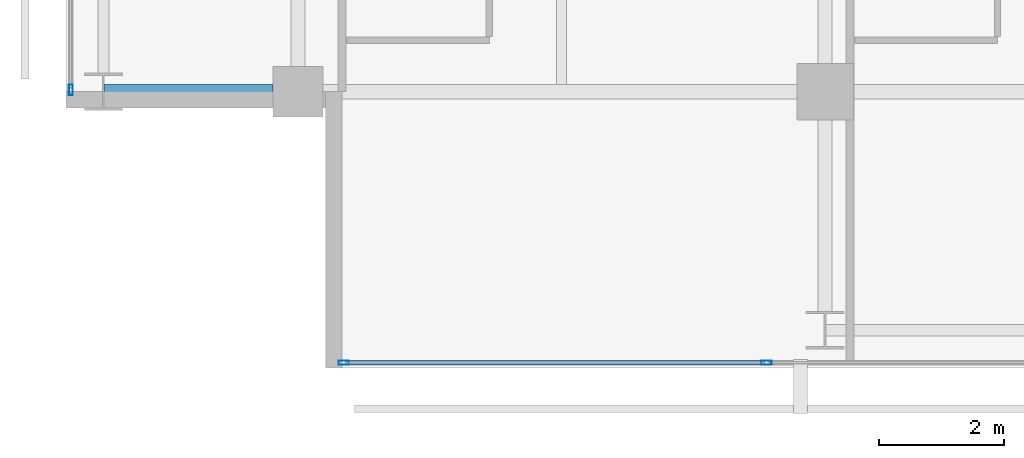
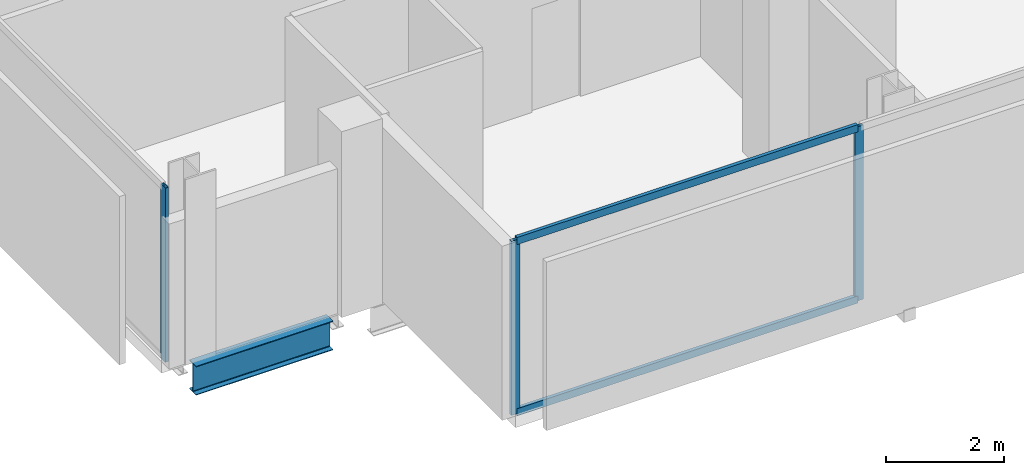
# One storey, part 2 of 34: 5 members, 1 beam, 2 elements without a shape of their own.
"""IFC4 building model written with IfcOpenShell, lengths in metres."""

from ifc_helpers import new_model, si_unit, direction, frame, origin, origin_2d, place, context, subcontext, project, spatial, hollow_rectangle, i_section, extrude, material, layer, layer_set, material_profile, profile_set, type_object, element, aggregate, save


model = new_model("IFC4")

# Units and contexts
model_context = context("Model", 3, precision=1e-05, world=origin(), true_north=direction((0.0, 1.0)))
body_context = subcontext(model_context, "Body", "Model", "MODEL_VIEW")
ifc_project = project(units=[si_unit("LENGTHUNIT", "METRE"), si_unit("AREAUNIT", "SQUARE_METRE"), si_unit("VOLUMEUNIT", "CUBIC_METRE"), si_unit("PLANEANGLEUNIT", "RADIAN"), si_unit("MASSUNIT", "GRAM", prefix="KILO")], contexts=[model_context])

# Site, building, storey
site_placement = place(None, origin())
site = spatial("IfcSite", under=ifc_project, at=site_placement, CompositionType="ELEMENT")
building_placement = place(site_placement, origin())
building = spatial("IfcBuilding", under=site, at=building_placement, Name="Maruvema Waterfront Hotel and Observation Tower", CompositionType="ELEMENT")
storey_placement = place(building_placement, frame((0.0, 0.0, 181.300048828125)))
storey = spatial("IfcBuildingStorey", under=building, at=storey_placement, Name="L44", CompositionType="ELEMENT", Elevation=181.300048828125)

# Curtain wall, members
ifc_material_1 = material(Name="Anodised bronze aluminium and solar-control low-E IGU", Category="aluminium")
ifc_layer = layer(ifc_material_1, 0.159912109375, Name="Zone 2 Amber Inner Thermal Curtain Wall System CW-03")
ifc_layer_set = layer_set([ifc_layer], Name="Anodised bronze aluminium and solar-control low-E IGU")
curtain_wall_type = type_object("IfcCurtainWallType", Name="Zone 2 Amber Inner Thermal Curtain Wall System CW-03", PredefinedType="USERDEFINED", material=ifc_layer_set)
curtain_wall_1_placement = place(storey_placement, origin())
curtain_wall_1 = element("IfcCurtainWall", 1, at=curtain_wall_1_placement, inside=storey, type_object=curtain_wall_type, Name="L44 Curtain Wall CW-L44-S", ObjectType="UNITISED CURTAIN WALL", PredefinedType="USERDEFINED")
ifc_material_2 = material(Name="Anodised architectural bronze aluminium", Category="aluminium")
ifc_material_profile_1 = material_profile(ifc_material_2, hollow_rectangle(XDim=0.070068359375, YDim=0.14990234375, WallThickness=0.00390625, at=origin_2d()), Name="ALU-T70x150")
ifc_profile_set_1 = profile_set([ifc_material_profile_1], Name="Anodised architectural bronze aluminium")
member_type_1 = type_object("IfcMemberType", Name="Curtain Wall Horizontal Transom ALU-T70x150", PredefinedType="USERDEFINED", material=ifc_profile_set_1)
member_1_placement = place(storey_placement, frame((17.56005859375, 4.679931640625, 0.030029296875), z_axis=(1.0, 0.0, 0.0), x_axis=(0.0, 1.0, 0.0)))
member_1 = element("IfcMember", 2, at=member_1_placement, type_object=member_type_1, Name="CW-03 transom 1.1", ObjectType="TRANSOM", PredefinedType="USERDEFINED", context=body_context, shape_type="SweptSolid", body=[
    extrude(hollow_rectangle(XDim=0.070068359375, YDim=0.14990234375, WallThickness=0.00390625, at=origin_2d()), origin(), (0.0, 0.0, 1.0), 6.676513671875),
])
member_2_placement = place(storey_placement, frame((17.56005859375, 4.679931640625, 3.579833984375), z_axis=(1.0, 0.0, 0.0), x_axis=(0.0, 1.0, 0.0)))
member_2 = element("IfcMember", 3, at=member_2_placement, type_object=member_type_1, Name="CW-03 transom 1.2", ObjectType="TRANSOM", PredefinedType="USERDEFINED", context=body_context, shape_type="SweptSolid", body=[
    extrude(hollow_rectangle(XDim=0.070068359375, YDim=0.14990234375, WallThickness=0.00390625, at=origin_2d()), origin(), (0.0, 0.0, 1.0), 6.676513671875),
])
ifc_material_3 = material(Name="Anodised architectural bronze aluminium", Category="aluminium")
ifc_material_profile_2 = material_profile(ifc_material_3, hollow_rectangle(XDim=0.06494140625, YDim=0.1650390625, WallThickness=0.00390625, at=origin_2d()), Name="ALU-M65x165")
ifc_profile_set_2 = profile_set([ifc_material_profile_2], Name="Anodised architectural bronze aluminium")
member_type_2 = type_object("IfcMemberType", Name="Curtain Wall Primary Mullion ALU-M65x165", PredefinedType="MULLION", material=ifc_profile_set_2)
member_3_placement = place(storey_placement, frame((17.530029296875, 4.679931640625, 0.0), z_axis=(0.0, 0.0, 1.0), x_axis=(0.0, 1.0, 0.0)))
member_3 = element("IfcMember", 4, at=member_3_placement, type_object=member_type_2, Name="CW-03 mullion 1", PredefinedType="MULLION", context=body_context, shape_type="SweptSolid", body=[
    extrude(hollow_rectangle(XDim=0.06494140625, YDim=0.1650390625, WallThickness=0.00390625, at=origin_2d()), origin(), (0.0, 0.0, 1.0), 3.60986328125),
])
member_4_placement = place(storey_placement, frame((24.2666015625, 4.679931640625, 0.0), z_axis=(0.0, 0.0, 1.0), x_axis=(0.0, 1.0, 0.0)))
member_4 = element("IfcMember", 5, at=member_4_placement, type_object=member_type_2, Name="CW-03 mullion 2", PredefinedType="MULLION", context=body_context, shape_type="SweptSolid", body=[
    extrude(hollow_rectangle(XDim=0.06494140625, YDim=0.1650390625, WallThickness=0.00390625, at=origin_2d()), origin(), (0.0, 0.0, 1.0), 3.60986328125),
])
aggregate(curtain_wall_1, [member_3, member_4, member_1, member_2])

# Curtain wall, member
curtain_wall_2_placement = place(storey_placement, origin())
curtain_wall_2 = element("IfcCurtainWall", 6, at=curtain_wall_2_placement, inside=storey, type_object=curtain_wall_type, Name="L44 Curtain Wall CW-L44-W", ObjectType="UNITISED CURTAIN WALL", PredefinedType="USERDEFINED")
member_5_placement = place(storey_placement, frame((13.179931640625, 9.030029296875, 0.0), z_axis=(0.0, 0.0, 1.0), x_axis=(1.0, 0.0, 0.0)))
member_5 = element("IfcMember", 7, at=member_5_placement, type_object=member_type_2, Name="CW-03 mullion 7", PredefinedType="MULLION", context=body_context, shape_type="SweptSolid", body=[
    extrude(hollow_rectangle(XDim=0.06494140625, YDim=0.1650390625, WallThickness=0.00390625, at=origin_2d()), origin(), (0.0, 0.0, 1.0), 3.60986328125),
])
aggregate(curtain_wall_2, [member_5])

# Beam
ifc_material_4 = material(Name="Steel ASTM A572 Grade 50", Category="steel")
ifc_material_profile_3 = material_profile(ifc_material_4, i_section(OverallWidth=0.22802734375, OverallDepth=0.60302734375, WebThickness=0.010498046875, FlangeThickness=0.014892578125, FilletRadius=0.01806640625, at=origin_2d()), Name="W610x101.0")
ifc_profile_set_3 = profile_set([ifc_material_profile_3], Name="Steel ASTM A572 Grade 50")
beam_type = type_object("IfcBeamType", Name="Primary Floor Girder W610x101.0", PredefinedType="BEAM", material=ifc_profile_set_3)
beam_placement = place(storey_placement, frame((13.71240234375, 9.0, -0.54150390625), z_axis=(1.0, 0.0, 0.0), x_axis=(0.0, 1.0, 0.0)))
element("IfcBeam", 8, at=beam_placement, inside=storey, type_object=beam_type, Name="L44 Floor Girder EW-04", PredefinedType="BEAM", context=body_context, shape_type="SweptSolid", body=[
    extrude(i_section(OverallWidth=0.22802734375, OverallDepth=0.60302734375, WebThickness=0.010498046875, FlangeThickness=0.014892578125, FilletRadius=0.01806640625, at=origin_2d()), origin(), (0.0, 0.0, 1.0), 2.6875),
])

save(model, "model.ifc")
